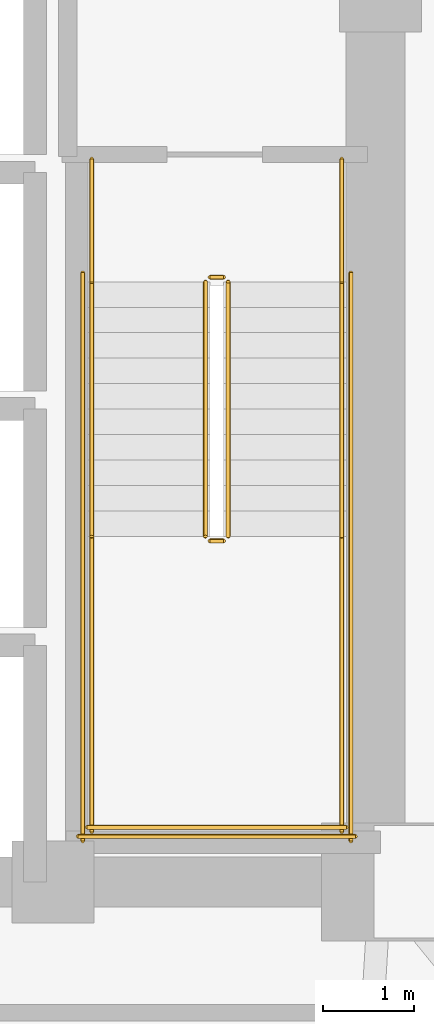
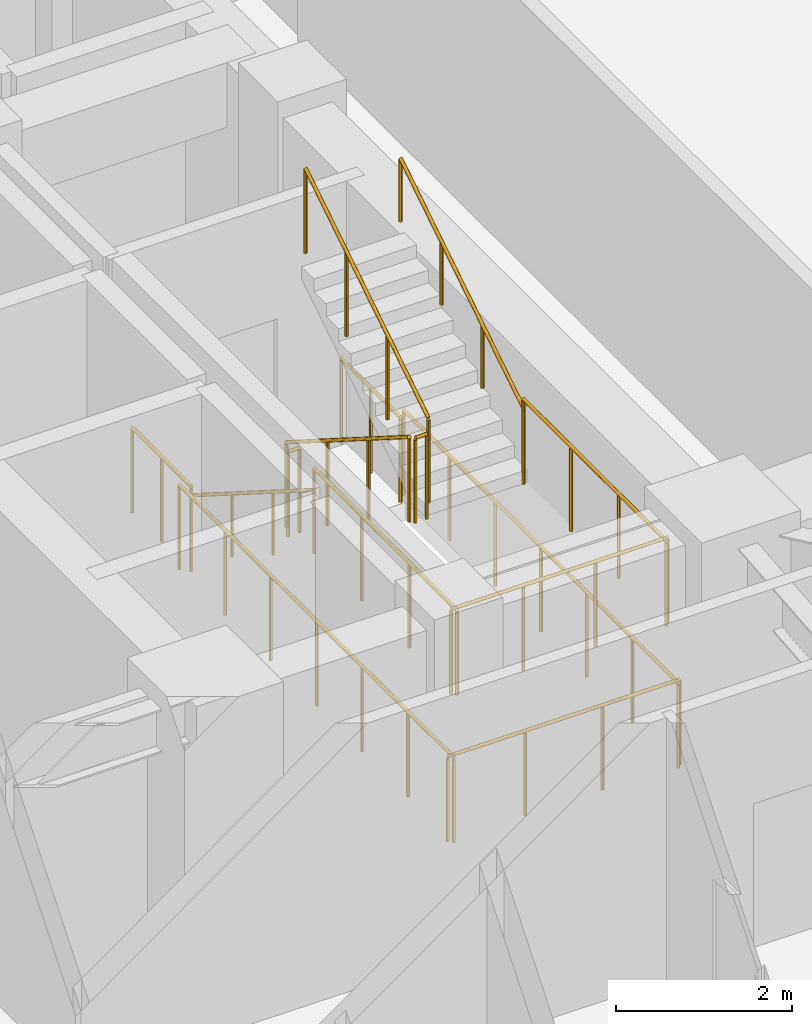
# One storey, part 16 of 16: 14 railings.
"""IFC4 building model written with IfcOpenShell, lengths in metres."""

from ifc_helpers import new_model, si_unit, direction, frame, origin, origin_2d, place, context, subcontext, project, spatial, circle, extrude, material, type_object, element, save


model = new_model("IFC4")

# Units and contexts
model_context = context("Model", 3, precision=1e-05, world=origin(), true_north=direction((0.0, 1.0)))
body_context = subcontext(model_context, "Body", "Model", "MODEL_VIEW")
ifc_project = project(units=[si_unit("LENGTHUNIT", "METRE"), si_unit("AREAUNIT", "SQUARE_METRE"), si_unit("VOLUMEUNIT", "CUBIC_METRE"), si_unit("PLANEANGLEUNIT", "RADIAN"), si_unit("MASSUNIT", "GRAM", prefix="KILO")], contexts=[model_context])

# Site, building, storey
site_placement = place(None, origin())
site = spatial("IfcSite", under=ifc_project, at=site_placement, CompositionType="ELEMENT")
building_placement = place(site_placement, origin())
building = spatial("IfcBuilding", under=site, at=building_placement, Name="Voryun Gate Residences", CompositionType="ELEMENT")
storey_placement = place(building_placement, frame((0.0, 0.0, 93.60009765625)))
storey = spatial("IfcBuildingStorey", under=building, at=storey_placement, Name="L22", CompositionType="ELEMENT", Elevation=93.60009765625)

# Railings
ifc_material_1 = material(Name="Painted steel", Category="steel")
railing_type_1 = type_object("IfcRailingType", Name="RAIL_STAIR_GUARD_1200", PredefinedType="GUARDRAIL", material=ifc_material_1)
railing_1_placement = place(storey_placement, frame((17.27490234375, -0.800048828125, 0.17724609375)))
element("IfcRailing", 1, at=railing_1_placement, inside=storey, type_object=railing_type_1, Name="L22 ST-E1 stair guard 1", PredefinedType="GUARDRAIL", context=body_context, shape_type="SweptSolid", body=[
    extrude(circle(Radius=0.02392578125, at=origin_2d()), frame((0.0, 0.0, 1.17578125), z_axis=(0.0, -0.844908973607, 0.534910110503), x_axis=(1.0, 0.0, 0.0)), (0.0, 0.0, 1.0), 3.31396484375),
    extrude(circle(Radius=0.02099609375, at=origin_2d()), origin(), (0.0, 0.0, 1.0), 1.15185546875),
    extrude(circle(Radius=0.02099609375, at=origin_2d()), frame((0.0, -0.933349609375, 0.5908203125)), (0.0, 0.0, 1.0), 1.15185546875),
    extrude(circle(Radius=0.02099609375, at=origin_2d()), frame((0.0, -1.86669921875, 1.181884765625)), (0.0, 0.0, 1.0), 1.15185546875),
    extrude(circle(Radius=0.02099609375, at=origin_2d()), frame((0.0, -2.800048828125, 1.772705078125)), (0.0, 0.0, 1.0), 1.15185546875),
])
railing_2_placement = place(storey_placement, frame((17.324951171875, -3.64990234375, 1.949951171875)))
element("IfcRailing", 2, at=railing_2_placement, inside=storey, type_object=railing_type_1, Name="L22 ST-E1 stair guard 2", PredefinedType="GUARDRAIL", context=body_context, shape_type="SweptSolid", body=[
    extrude(circle(Radius=0.02392578125, at=origin_2d()), frame((0.0, 0.0, 1.17578125), z_axis=(1.0, 0.0, 0.0), x_axis=(0.0, 1.0, 0.0)), (0.0, 0.0, 1.0), 0.150146484375),
    extrude(circle(Radius=0.02099609375, at=origin_2d()), origin(), (0.0, 0.0, 1.0), 1.15185546875),
    extrude(circle(Radius=0.02099609375, at=origin_2d()), frame((0.150146484375, 0.0, 0.0)), (0.0, 0.0, 1.0), 1.15185546875),
])
for number, where, name in (
    (3, (16.02490234375, -3.60009765625, 1.949951171875), "L22 ST-E1 stair guard 3"),
    (4, (18.77490234375, -3.60009765625, 1.949951171875), "L22 ST-E1 stair guard 4"),
):
    element("IfcRailing", number, at=place(storey_placement, frame(where)), inside=storey, type_object=railing_type_1, Name=name, PredefinedType="GUARDRAIL", context=body_context, shape_type="SweptSolid", body=[
        extrude(circle(Radius=0.02392578125, at=origin_2d()), frame((0.0, 0.0, 1.17578125), z_axis=(0.0, -1.0, 0.0), x_axis=(1.0, 0.0, 0.0)), (0.0, 0.0, 1.0), 3.25),
        extrude(circle(Radius=0.02099609375, at=origin_2d()), origin(), (0.0, 0.0, 1.0), 1.15185546875),
        extrude(circle(Radius=0.02099609375, at=origin_2d()), frame((0.0, -1.083251953125, 0.0)), (0.0, 0.0, 1.0), 1.15185546875),
        extrude(circle(Radius=0.02099609375, at=origin_2d()), frame((0.0, -2.166748046875, 0.0)), (0.0, 0.0, 1.0), 1.15185546875),
        extrude(circle(Radius=0.02099609375, at=origin_2d()), frame((0.0, -3.25, 0.0)), (0.0, 0.0, 1.0), 1.15185546875),
    ])
railing_3_placement = place(storey_placement, frame((15.97509765625, -6.800048828125, 1.949951171875)))
element("IfcRailing", 5, at=railing_3_placement, inside=storey, type_object=railing_type_1, Name="L22 ST-E1 stair guard 5", PredefinedType="GUARDRAIL", context=body_context, shape_type="SweptSolid", body=[
    extrude(circle(Radius=0.02392578125, at=origin_2d()), frame((0.0, 0.0, 1.17578125), z_axis=(1.0, 0.0, 0.0), x_axis=(0.0, 1.0, 0.0)), (0.0, 0.0, 1.0), 2.849853515625),
    extrude(circle(Radius=0.02099609375, at=origin_2d()), origin(), (0.0, 0.0, 1.0), 1.15185546875),
    extrude(circle(Radius=0.02099609375, at=origin_2d()), frame((0.949951171875, 0.0, 0.0)), (0.0, 0.0, 1.0), 1.15185546875),
    extrude(circle(Radius=0.02099609375, at=origin_2d()), frame((1.89990234375, 0.0, 0.0)), (0.0, 0.0, 1.0), 1.15185546875),
    extrude(circle(Radius=0.02099609375, at=origin_2d()), frame((2.849853515625, 0.0, 0.0)), (0.0, 0.0, 1.0), 1.15185546875),
])
railing_4_placement = place(storey_placement, frame((17.52490234375, -3.60009765625, 2.127197265625)))
element("IfcRailing", 6, at=railing_4_placement, inside=storey, type_object=railing_type_1, Name="L22 ST-E1 stair guard 6", PredefinedType="GUARDRAIL", context=body_context, shape_type="SweptSolid", body=[
    extrude(circle(Radius=0.02392578125, at=origin_2d()), frame((0.0, 0.0, 1.17578125), z_axis=(0.0, 0.844908973607, 0.534910110503), x_axis=(-1.0, 0.0, 0.0)), (0.0, 0.0, 1.0), 3.31396484375),
    extrude(circle(Radius=0.02099609375, at=origin_2d()), origin(), (0.0, 0.0, 1.0), 1.15185546875),
    extrude(circle(Radius=0.02099609375, at=origin_2d()), frame((0.0, 0.933349609375, 0.5908203125)), (0.0, 0.0, 1.0), 1.15185546875),
    extrude(circle(Radius=0.02099609375, at=origin_2d()), frame((0.0, 1.86669921875, 1.181884765625)), (0.0, 0.0, 1.0), 1.15185546875),
    extrude(circle(Radius=0.02099609375, at=origin_2d()), frame((0.0, 2.800048828125, 1.772705078125)), (0.0, 0.0, 1.0), 1.15185546875),
])
railing_5_placement = place(storey_placement, frame((17.324951171875, -0.75, 0.0)))
element("IfcRailing", 7, at=railing_5_placement, inside=storey, type_object=railing_type_1, Name="L22 ST-E1 stair guard 7", PredefinedType="GUARDRAIL", context=body_context, shape_type="SweptSolid", body=[
    extrude(circle(Radius=0.02392578125, at=origin_2d()), frame((0.0, 0.0, 1.17578125), z_axis=(1.0, 0.0, 0.0), x_axis=(0.0, 1.0, 0.0)), (0.0, 0.0, 1.0), 0.150146484375),
    extrude(circle(Radius=0.02099609375, at=origin_2d()), origin(), (0.0, 0.0, 1.0), 1.15185546875),
    extrude(circle(Radius=0.02099609375, at=origin_2d()), frame((0.150146484375, 0.0, 0.0)), (0.0, 0.0, 1.0), 1.15185546875),
])
for number, where, name in (
    (8, (16.02490234375, 0.550048828125, 0.0), "L22 ST-E1 stair guard 8"),
    (9, (18.77490234375, 0.550048828125, 0.0), "L22 ST-E1 stair guard 9"),
):
    element("IfcRailing", number, at=place(storey_placement, frame(where)), inside=storey, type_object=railing_type_1, Name=name, PredefinedType="GUARDRAIL", context=body_context, shape_type="SweptSolid", body=[
        extrude(circle(Radius=0.02392578125, at=origin_2d()), frame((0.0, 0.0, 1.17578125), z_axis=(0.0, -1.0, 0.0), x_axis=(1.0, 0.0, 0.0)), (0.0, 0.0, 1.0), 1.35009765625),
        extrude(circle(Radius=0.02099609375, at=origin_2d()), origin(), (0.0, 0.0, 1.0), 1.15185546875),
        extrude(circle(Radius=0.02099609375, at=origin_2d()), frame((0.0, -0.675048828125, 0.0)), (0.0, 0.0, 1.0), 1.15185546875),
        extrude(circle(Radius=0.02099609375, at=origin_2d()), frame((0.0, -1.35009765625, 0.0)), (0.0, 0.0, 1.0), 1.15185546875),
    ])
for number, where, name in (
    (10, (15.925048828125, -0.699951171875, 0.0), "L22 ST-E1 stair guard 10"),
    (11, (18.875, -0.699951171875, 0.0), "L22 ST-E1 stair guard 11"),
):
    element("IfcRailing", number, at=place(storey_placement, frame(where)), inside=storey, type_object=railing_type_1, Name=name, PredefinedType="GUARDRAIL", context=body_context, shape_type="SweptSolid", body=[
        extrude(circle(Radius=0.02392578125, at=origin_2d()), frame((0.0, 0.0, 1.17578125), z_axis=(0.0, -1.0, 0.0), x_axis=(1.0, 0.0, 0.0)), (0.0, 0.0, 1.0), 6.25),
        extrude(circle(Radius=0.02099609375, at=origin_2d()), origin(), (0.0, 0.0, 1.0), 1.15185546875),
        extrude(circle(Radius=0.02099609375, at=origin_2d()), frame((0.0, -1.041748046875, 0.0)), (0.0, 0.0, 1.0), 1.15185546875),
        extrude(circle(Radius=0.02099609375, at=origin_2d()), frame((0.0, -2.083251953125, 0.0)), (0.0, 0.0, 1.0), 1.15185546875),
        extrude(circle(Radius=0.02099609375, at=origin_2d()), frame((0.0, -3.125, 0.0)), (0.0, 0.0, 1.0), 1.15185546875),
        extrude(circle(Radius=0.02099609375, at=origin_2d()), frame((0.0, -4.166748046875, 0.0)), (0.0, 0.0, 1.0), 1.15185546875),
        extrude(circle(Radius=0.02099609375, at=origin_2d()), frame((0.0, -5.208251953125, 0.0)), (0.0, 0.0, 1.0), 1.15185546875),
        extrude(circle(Radius=0.02099609375, at=origin_2d()), frame((0.0, -6.25, 0.0)), (0.0, 0.0, 1.0), 1.15185546875),
    ])
railing_6_placement = place(storey_placement, frame((15.875, -6.89990234375, 0.0)))
element("IfcRailing", 12, at=railing_6_placement, inside=storey, type_object=railing_type_1, Name="L22 ST-E1 stair guard 12", PredefinedType="GUARDRAIL", context=body_context, shape_type="SweptSolid", body=[
    extrude(circle(Radius=0.02392578125, at=origin_2d()), frame((0.0, 0.0, 1.17578125), z_axis=(1.0, 0.0, 0.0), x_axis=(0.0, 1.0, 0.0)), (0.0, 0.0, 1.0), 3.050048828125),
    extrude(circle(Radius=0.02099609375, at=origin_2d()), origin(), (0.0, 0.0, 1.0), 1.15185546875),
    extrude(circle(Radius=0.02099609375, at=origin_2d()), frame((1.0166015625, 0.0, 0.0)), (0.0, 0.0, 1.0), 1.15185546875),
    extrude(circle(Radius=0.02099609375, at=origin_2d()), frame((2.033447265625, 0.0, 0.0)), (0.0, 0.0, 1.0), 1.15185546875),
    extrude(circle(Radius=0.02099609375, at=origin_2d()), frame((3.050048828125, 0.0, 0.0)), (0.0, 0.0, 1.0), 1.15185546875),
])
ifc_material_2 = material(Name="Painted steel", Category="steel")
railing_type_2 = type_object("IfcRailingType", Name="RAIL_STAIR_HANDRAIL_900", PredefinedType="HANDRAIL", material=ifc_material_2)
railing_7_placement = place(storey_placement, frame((16.02490234375, -0.800048828125, 0.17724609375)))
element("IfcRailing", 13, at=railing_7_placement, inside=storey, type_object=railing_type_2, Name="L22 ST-E1 stair handrail 1", PredefinedType="HANDRAIL", context=body_context, shape_type="SweptSolid", body=[
    extrude(circle(Radius=0.02392578125, at=origin_2d()), frame((0.0, 0.0, 0.8759765625), z_axis=(0.0, -0.844908973607, 0.534910110503), x_axis=(1.0, 0.0, 0.0)), (0.0, 0.0, 1.0), 3.31396484375),
    extrude(circle(Radius=0.02099609375, at=origin_2d()), origin(), (0.0, 0.0, 1.0), 0.851806640625),
    extrude(circle(Radius=0.02099609375, at=origin_2d()), frame((0.0, -0.933349609375, 0.5908203125)), (0.0, 0.0, 1.0), 0.851806640625),
    extrude(circle(Radius=0.02099609375, at=origin_2d()), frame((0.0, -1.86669921875, 1.181884765625)), (0.0, 0.0, 1.0), 0.851806640625),
    extrude(circle(Radius=0.02099609375, at=origin_2d()), frame((0.0, -2.800048828125, 1.772705078125)), (0.0, 0.0, 1.0), 0.851806640625),
])
railing_8_placement = place(storey_placement, frame((18.77490234375, -3.60009765625, 2.127197265625)))
element("IfcRailing", 14, at=railing_8_placement, inside=storey, type_object=railing_type_2, Name="L22 ST-E1 stair handrail 2", PredefinedType="HANDRAIL", context=body_context, shape_type="SweptSolid", body=[
    extrude(circle(Radius=0.02392578125, at=origin_2d()), frame((0.0, 0.0, 0.8759765625), z_axis=(0.0, 0.844908973607, 0.534910110503), x_axis=(-1.0, 0.0, 0.0)), (0.0, 0.0, 1.0), 3.31396484375),
    extrude(circle(Radius=0.02099609375, at=origin_2d()), origin(), (0.0, 0.0, 1.0), 0.851806640625),
    extrude(circle(Radius=0.02099609375, at=origin_2d()), frame((0.0, 0.933349609375, 0.5908203125)), (0.0, 0.0, 1.0), 0.851806640625),
    extrude(circle(Radius=0.02099609375, at=origin_2d()), frame((0.0, 1.86669921875, 1.181884765625)), (0.0, 0.0, 1.0), 0.851806640625),
    extrude(circle(Radius=0.02099609375, at=origin_2d()), frame((0.0, 2.800048828125, 1.772705078125)), (0.0, 0.0, 1.0), 0.851806640625),
])

save(model, "model.ifc")
